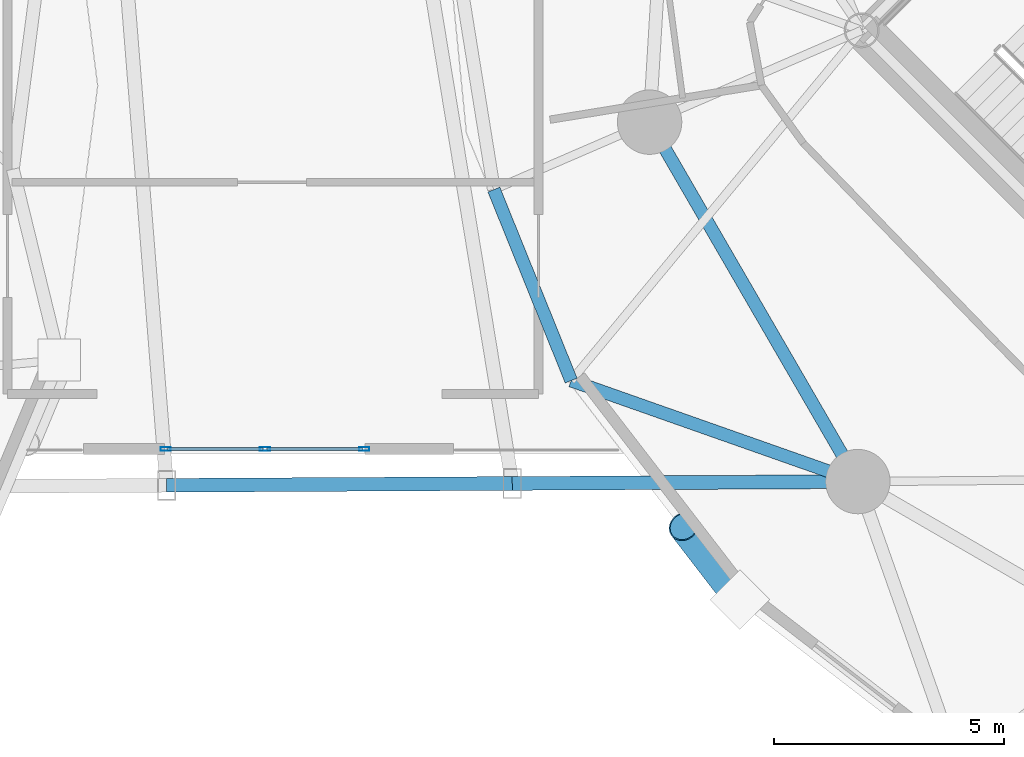
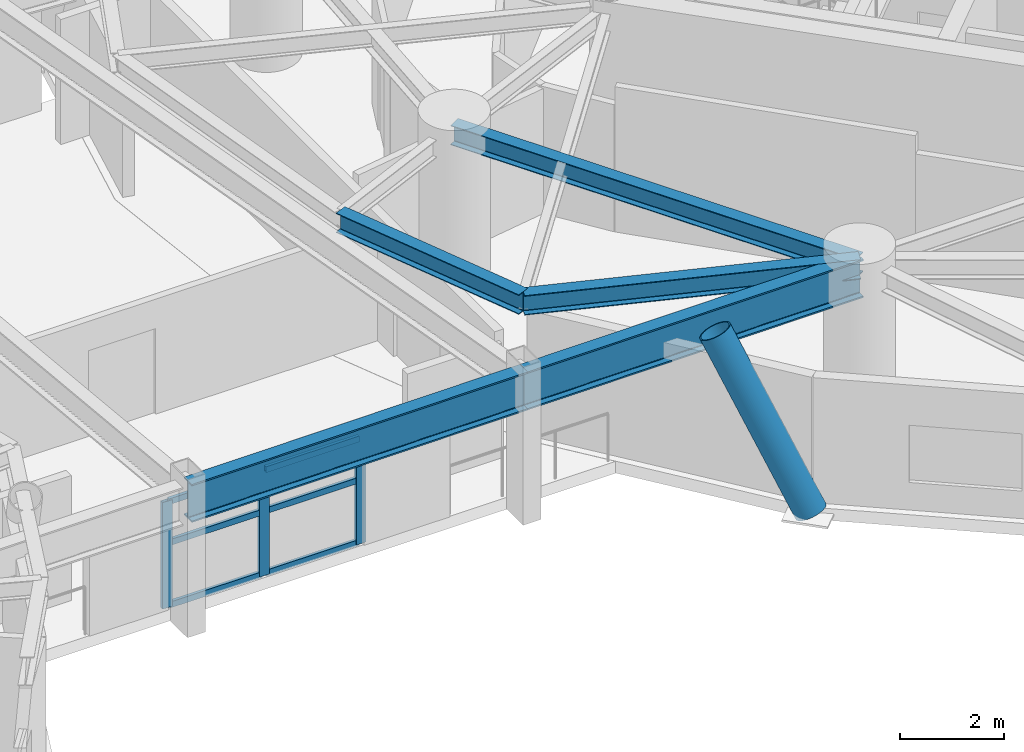
# One storey, part 4 of 20: 10 members, 5 beams, 1 element without a shape of its own.
"""IFC4 building model written with IfcOpenShell, lengths in metres."""

from ifc_helpers import new_model, si_unit, direction, frame, origin, origin_2d, place, context, subcontext, project, spatial, hollow_rectangle, hollow_circle, i_section, extrude, material, layer, layer_set, material_profile, profile_set, type_object, element, aggregate, save


model = new_model("IFC4")

# Units and contexts
model_context = context("Model", 3, precision=1e-05, world=origin(), true_north=direction((0.0, 1.0)))
body_context = subcontext(model_context, "Body", "Model", "MODEL_VIEW")
ifc_project = project(units=[si_unit("LENGTHUNIT", "METRE"), si_unit("AREAUNIT", "SQUARE_METRE"), si_unit("VOLUMEUNIT", "CUBIC_METRE"), si_unit("PLANEANGLEUNIT", "RADIAN"), si_unit("MASSUNIT", "GRAM", prefix="KILO")], contexts=[model_context])

# Site, building, storey
site_placement = place(None, origin())
site = spatial("IfcSite", under=ifc_project, at=site_placement, CompositionType="ELEMENT")
building_placement = place(site_placement, origin())
building = spatial("IfcBuilding", under=site, at=building_placement, Name="Cununo Teusaquillo Station Towers", CompositionType="ELEMENT")
storey_placement = place(building_placement, frame((0.0, 0.0, 129.159912109375)))
storey = spatial("IfcBuildingStorey", under=building, at=storey_placement, Name="L41", CompositionType="ELEMENT", Elevation=129.159912109375)

# Beams
ifc_material_1 = material(Name="Steel EN 10025-2 S355J2", Category="steel")
ifc_material_profile_1 = material_profile(ifc_material_1, i_section(OverallWidth=0.300048828125, OverallDepth=0.89990234375, WebThickness=0.0185546875, FlangeThickness=0.034912109375, FilletRadius=0.027099609375, at=origin_2d()), Name="HEB 900")
ifc_profile_set_1 = profile_set([ifc_material_profile_1], Name="Steel EN 10025-2 S355J2")
beam_type_1 = type_object("IfcBeamType", Name="BM-BRG-CH2", PredefinedType="BEAM", material=ifc_profile_set_1)
beam_1_placement = place(storey_placement, frame((33.862548828125, 15.81201171875, 2.989990234375), z_axis=(0.999985459376, 0.00539268359, 0.0), x_axis=(-0.00539268359, 0.999985459376, 0.0)))
element("IfcBeam", 1, at=beam_1_placement, inside=storey, type_object=beam_type_1, Name="L41 Mid-Bridge Chord S2", PredefinedType="BEAM", context=body_context, shape_type="SweptSolid", body=[
    extrude(i_section(OverallWidth=0.300048828125, OverallDepth=0.89990234375, WebThickness=0.0185546875, FlangeThickness=0.034912109375, FilletRadius=0.027099609375, at=origin_2d()), origin(), (0.0, 0.0, 1.0), 7.51513671875),
])
beam_2_placement = place(storey_placement, frame((41.377685546875, 15.8525390625, 2.989990234375), z_axis=(0.999985460321, 0.005392508411, 0.0), x_axis=(-0.005392508411, 0.999985460321, 0.0)))
element("IfcBeam", 2, at=beam_2_placement, inside=storey, type_object=beam_type_1, Name="L41 Mid-Bridge Chord S3", PredefinedType="BEAM", context=body_context, shape_type="SweptSolid", body=[
    extrude(i_section(OverallWidth=0.300048828125, OverallDepth=0.89990234375, WebThickness=0.0185546875, FlangeThickness=0.034912109375, FilletRadius=0.027099609375, at=origin_2d()), origin(), (0.0, 0.0, 1.0), 7.515380859375),
])
ifc_material_2 = material(Name="Steel ASTM A572 Grade 50", Category="steel")
ifc_material_profile_2 = material_profile(ifc_material_2, i_section(OverallWidth=0.280029296875, OverallDepth=0.462890625, WebThickness=0.0107421875, FlangeThickness=0.017333984375, FilletRadius=0.013916015625, at=origin_2d()), Name="W18X76")
ifc_profile_set_2 = profile_set([ifc_material_profile_2], Name="Steel ASTM A572 Grade 50")
beam_type_2 = type_object("IfcBeamType", Name="BM-RING-Z2", PredefinedType="SPANDREL", material=ifc_profile_set_2)
beam_3_placement = place(storey_placement, frame((44.36474609375, 23.708984375, 3.20849609375), z_axis=(0.501311121078, -0.865267103202, 0.0), x_axis=(0.865267103202, 0.501311121078, 0.0)))
element("IfcBeam", 3, at=beam_3_placement, inside=storey, type_object=beam_type_2, Name="L41 Tower B Structural Column Ring Girder 05", PredefinedType="SPANDREL", context=body_context, shape_type="SweptSolid", body=[
    extrude(i_section(OverallWidth=0.280029296875, OverallDepth=0.462890625, WebThickness=0.0107421875, FlangeThickness=0.017333984375, FilletRadius=0.013916015625, at=origin_2d()), origin(), (0.0, 0.0, 1.0), 9.032958984375),
])
beam_4_placement = place(storey_placement, frame((40.978515625, 22.242431640625, 3.20849609375), z_axis=(0.375042266631, -0.927007712072, 0.0), x_axis=(0.927007712072, 0.375042266631, 0.0)))
element("IfcBeam", 4, at=beam_4_placement, inside=storey, type_object=beam_type_2, Name="L41 Tower B Spandrel Ring Beam 09", PredefinedType="SPANDREL", context=body_context, shape_type="SweptSolid", body=[
    extrude(i_section(OverallWidth=0.280029296875, OverallDepth=0.462890625, WebThickness=0.0107421875, FlangeThickness=0.017333984375, FilletRadius=0.013916015625, at=origin_2d()), origin(), (0.0, 0.0, 1.0), 4.480712890625),
])
beam_5_placement = place(storey_placement, frame((42.658935546875, 18.0888671875, 3.20849609375), z_axis=(0.943202901767, -0.332217227276, 0.0), x_axis=(0.332217227276, 0.943202901767, 0.0)))
element("IfcBeam", 5, at=beam_5_placement, inside=storey, type_object=beam_type_2, Name="L41 Tower B Spandrel Ring Beam 10", PredefinedType="SPANDREL", context=body_context, shape_type="SweptSolid", body=[
    extrude(i_section(OverallWidth=0.280029296875, OverallDepth=0.462890625, WebThickness=0.0107421875, FlangeThickness=0.017333984375, FilletRadius=0.013916015625, at=origin_2d()), origin(), (0.0, 0.0, 1.0), 6.609619140625),
])

# Curtain wall, members
ifc_material_3 = material(Name="Ceramic-fritted dark low-E double glazing", Category="glass")
ifc_layer = layer(ifc_material_3, 0.179931640625)
ifc_layer_set = layer_set([ifc_layer], Name="Ceramic-fritted dark low-E double glazing")
curtain_wall_type = type_object("IfcCurtainWallType", Name="CW-SYS-05", PredefinedType="USERDEFINED", material=ifc_layer_set)
curtain_wall_placement = place(storey_placement, origin())
curtain_wall = element("IfcCurtainWall", 6, at=curtain_wall_placement, inside=storey, type_object=curtain_wall_type, Name="L41 Mid-Bridge S Observation Curtain Wall", ObjectType="FRITTED GLAZING", PredefinedType="USERDEFINED")
ifc_material_4 = material(Name="Anodised dark bronze aluminium EN AW-6063-T6", Category="aluminium")
ifc_material_profile_3 = material_profile(ifc_material_4, hollow_rectangle(XDim=0.080078125, YDim=0.219970703125, WallThickness=0.0048828125, at=origin_2d()), Name="CW-MULL-80x220")
ifc_profile_set_3 = profile_set([ifc_material_profile_3], Name="Anodised dark bronze aluminium EN AW-6063-T6")
member_type_1 = type_object("IfcMemberType", Name="CWM-220", PredefinedType="MULLION", material=ifc_profile_set_3)
member_1_placement = place(storey_placement, frame((38.159912109375, 16.60009765625, 0.0), z_axis=(0.0, 0.0, 1.0), x_axis=(0.0, -1.0, 0.0)))
member_1 = element("IfcMember", 7, at=member_1_placement, type_object=member_type_1, Name="CW-05 mullion 1", PredefinedType="MULLION", context=body_context, shape_type="SweptSolid", body=[
    extrude(hollow_rectangle(XDim=0.080078125, YDim=0.219970703125, WallThickness=0.0048828125, at=origin_2d()), origin(), (0.0, 0.0, 1.0), 2.51220703125),
])
member_2_placement = place(storey_placement, frame((36.0, 16.60009765625, 0.0), z_axis=(0.0, 0.0, 1.0), x_axis=(0.0, -1.0, 0.0)))
member_2 = element("IfcMember", 8, at=member_2_placement, type_object=member_type_1, Name="CW-05 mullion 2", PredefinedType="MULLION", context=body_context, shape_type="SweptSolid", body=[
    extrude(hollow_rectangle(XDim=0.080078125, YDim=0.219970703125, WallThickness=0.0048828125, at=origin_2d()), origin(), (0.0, 0.0, 1.0), 2.51220703125),
])
member_3_placement = place(storey_placement, frame((33.840087890625, 16.60009765625, 0.0), z_axis=(0.0, 0.0, 1.0), x_axis=(0.0, -1.0, 0.0)))
member_3 = element("IfcMember", 9, at=member_3_placement, type_object=member_type_1, Name="CW-05 mullion 3", PredefinedType="MULLION", context=body_context, shape_type="SweptSolid", body=[
    extrude(hollow_rectangle(XDim=0.080078125, YDim=0.219970703125, WallThickness=0.0048828125, at=origin_2d()), origin(), (0.0, 0.0, 1.0), 2.51220703125),
])
ifc_material_5 = material(Name="Anodised dark bronze aluminium EN AW-6063-T6", Category="aluminium")
ifc_material_profile_4 = material_profile(ifc_material_5, hollow_rectangle(XDim=0.070068359375, YDim=0.139892578125, WallThickness=0.00390625, at=origin_2d()), Name="CW-TRAN-70x140")
ifc_profile_set_4 = profile_set([ifc_material_profile_4], Name="Anodised dark bronze aluminium EN AW-6063-T6")
member_type_2 = type_object("IfcMemberType", Name="CWT-140", PredefinedType="USERDEFINED", material=ifc_profile_set_4)
member_4_placement = place(storey_placement, frame((38.1201171875, 16.60009765625, 0.03515625), z_axis=(-1.0, 0.0, 0.0), x_axis=(0.0, -1.0, 0.0)))
member_4 = element("IfcMember", 10, at=member_4_placement, type_object=member_type_2, Name="CW-05 transom 1.1", ObjectType="TRANSOM", PredefinedType="USERDEFINED", context=body_context, shape_type="SweptSolid", body=[
    extrude(hollow_rectangle(XDim=0.070068359375, YDim=0.139892578125, WallThickness=0.00390625, at=origin_2d()), origin(), (0.0, 0.0, 1.0), 2.080078125),
])
member_5_placement = place(storey_placement, frame((38.1201171875, 16.60009765625, 1.507080078125), z_axis=(-1.0, 0.0, 0.0), x_axis=(0.0, -1.0, 0.0)))
member_5 = element("IfcMember", 11, at=member_5_placement, type_object=member_type_2, Name="CW-05 transom 1.2", ObjectType="TRANSOM", PredefinedType="USERDEFINED", context=body_context, shape_type="SweptSolid", body=[
    extrude(hollow_rectangle(XDim=0.070068359375, YDim=0.139892578125, WallThickness=0.00390625, at=origin_2d()), origin(), (0.0, 0.0, 1.0), 2.080078125),
])
member_6_placement = place(storey_placement, frame((38.1201171875, 16.60009765625, 2.47705078125), z_axis=(-1.0, 0.0, 0.0), x_axis=(0.0, -1.0, 0.0)))
member_6 = element("IfcMember", 12, at=member_6_placement, type_object=member_type_2, Name="CW-05 transom 1.3", ObjectType="TRANSOM", PredefinedType="USERDEFINED", context=body_context, shape_type="SweptSolid", body=[
    extrude(hollow_rectangle(XDim=0.070068359375, YDim=0.139892578125, WallThickness=0.00390625, at=origin_2d()), origin(), (0.0, 0.0, 1.0), 2.080078125),
])
member_7_placement = place(storey_placement, frame((35.9599609375, 16.60009765625, 0.03515625), z_axis=(-1.0, 0.0, 0.0), x_axis=(0.0, -1.0, 0.0)))
member_7 = element("IfcMember", 13, at=member_7_placement, type_object=member_type_2, Name="CW-05 transom 2.1", ObjectType="TRANSOM", PredefinedType="USERDEFINED", context=body_context, shape_type="SweptSolid", body=[
    extrude(hollow_rectangle(XDim=0.070068359375, YDim=0.139892578125, WallThickness=0.00390625, at=origin_2d()), origin(), (0.0, 0.0, 1.0), 2.080078125),
])
member_8_placement = place(storey_placement, frame((35.9599609375, 16.60009765625, 1.507080078125), z_axis=(-1.0, 0.0, 0.0), x_axis=(0.0, -1.0, 0.0)))
member_8 = element("IfcMember", 14, at=member_8_placement, type_object=member_type_2, Name="CW-05 transom 2.2", ObjectType="TRANSOM", PredefinedType="USERDEFINED", context=body_context, shape_type="SweptSolid", body=[
    extrude(hollow_rectangle(XDim=0.070068359375, YDim=0.139892578125, WallThickness=0.00390625, at=origin_2d()), origin(), (0.0, 0.0, 1.0), 2.080078125),
])
member_9_placement = place(storey_placement, frame((35.9599609375, 16.60009765625, 2.47705078125), z_axis=(-1.0, 0.0, 0.0), x_axis=(0.0, -1.0, 0.0)))
member_9 = element("IfcMember", 15, at=member_9_placement, type_object=member_type_2, Name="CW-05 transom 2.3", ObjectType="TRANSOM", PredefinedType="USERDEFINED", context=body_context, shape_type="SweptSolid", body=[
    extrude(hollow_rectangle(XDim=0.070068359375, YDim=0.139892578125, WallThickness=0.00390625, at=origin_2d()), origin(), (0.0, 0.0, 1.0), 2.080078125),
])
aggregate(curtain_wall, [member_1, member_2, member_3, member_4, member_5, member_6, member_7, member_8, member_9])

# Member
ifc_material_6 = material(Name="Steel EN 10025-2 S355J2", Category="steel")
ifc_material_profile_5 = material_profile(ifc_material_6, hollow_circle(Radius=0.330078125, WallThickness=0.02490234375, at=origin_2d()), Name="CHS 660x25")
ifc_profile_set_5 = profile_set([ifc_material_profile_5], Name="Steel EN 10025-2 S355J2")
member_type_3 = type_object("IfcMemberType", Name="MBR-DIAG-Z2", PredefinedType="BRACE", material=ifc_profile_set_5)
member_10_placement = place(storey_placement, frame((46.326904296875, 13.326904296875, -0.139892578125), z_axis=(-0.289367521779, 0.375692417453, 0.88040992998), x_axis=(-0.792243348803, -0.610205273886, 0.0)))
element("IfcMember", 16, at=member_10_placement, inside=storey, type_object=member_type_3, Name="L41 Tower B Folded-Zigzag Diagrid Tube C09", PredefinedType="BRACE", context=body_context, shape_type="SweptSolid", body=[
    extrude(hollow_circle(Radius=0.330078125, WallThickness=0.02490234375, at=origin_2d()), origin(), (0.0, 0.0, 1.0), 4.225341796875),
])

save(model, "model.ifc")
